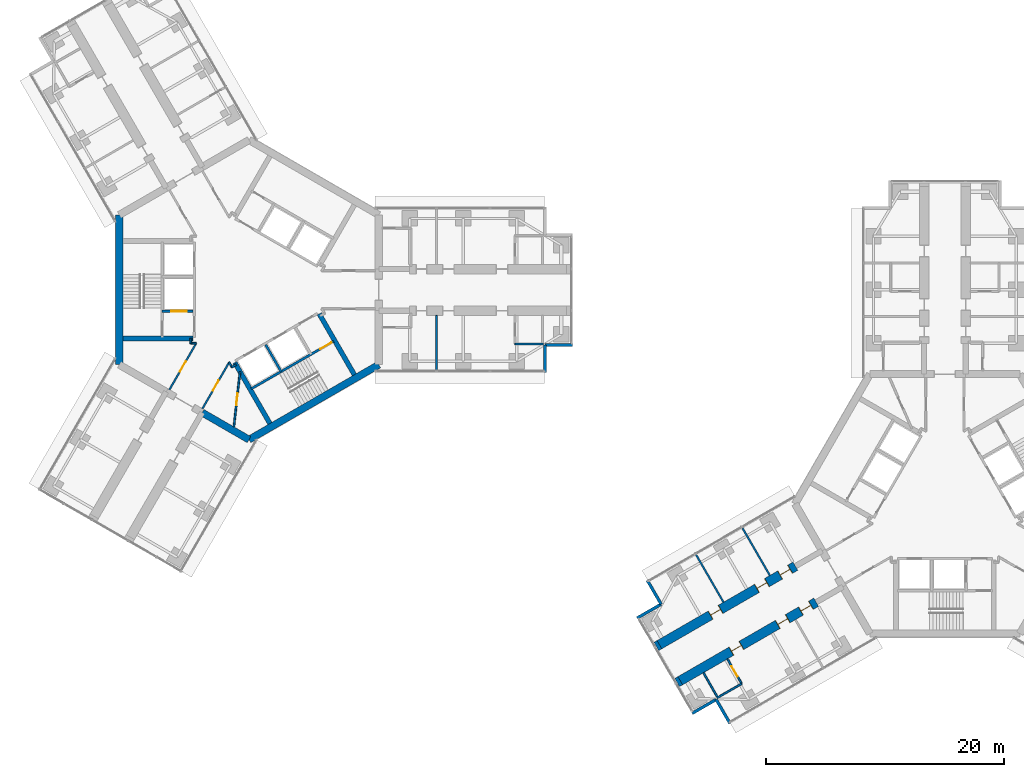
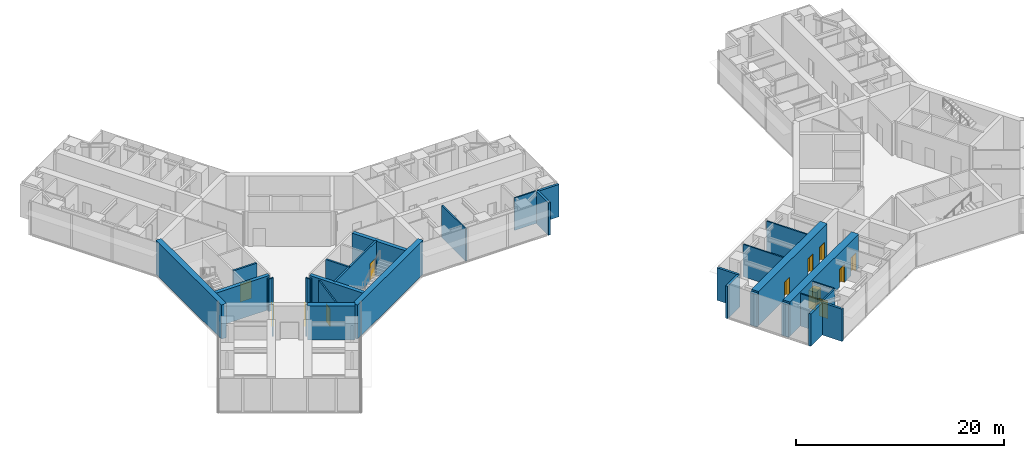
# One storey, part 15 of 22: 33 walls, 12 doors, 12 openings.
"""IFC4 building model written with IfcOpenShell, lengths in metres."""

from ifc_helpers import new_model, si_unit, direction, frame, frame_2d, origin, place, context, subcontext, project, spatial, rectangle, extrude, material, layer, layer_set, type_object, element, fill, save


model = new_model("IFC4")

# Units and contexts
model_context = context("Model", 3, precision=1e-05, world=origin(), true_north=direction((0.0, 1.0)))
body_context = subcontext(model_context, "Body", "Model", "MODEL_VIEW")
ifc_project = project(units=[si_unit("LENGTHUNIT", "METRE"), si_unit("AREAUNIT", "SQUARE_METRE"), si_unit("VOLUMEUNIT", "CUBIC_METRE"), si_unit("PLANEANGLEUNIT", "RADIAN"), si_unit("MASSUNIT", "GRAM", prefix="KILO")], contexts=[model_context])

# Site, building, storey
site_placement = place(None, origin())
site = spatial("IfcSite", under=ifc_project, at=site_placement, CompositionType="ELEMENT")
building_placement = place(site_placement, origin())
building = spatial("IfcBuilding", under=site, at=building_placement, Name="Upepo Twin Towers", CompositionType="ELEMENT")
storey_placement = place(building_placement, frame((0.0, 0.0, 121.5)))
storey = spatial("IfcBuildingStorey", under=building, at=storey_placement, Name="L29", CompositionType="ELEMENT", Elevation=121.5)

# Walls
ifc_material_1 = material(Name="Dense concrete blockwork", Category="masonry")
ifc_layer_1 = layer(ifc_material_1, 0.800048828125)
ifc_layer_set_1 = layer_set([ifc_layer_1], Name="Buttress closer 800, blockwork with fire-stopping to the curtain wall")
wall_type_1 = type_object("IfcWallType", Name="Buttress closer 800, blockwork with fire-stopping to the curtain wall", PredefinedType="PARTITIONING", material=ifc_layer_set_1)
wall_1_placement = place(storey_placement, frame((36.252197265625, -32.865478515625, 0.0), z_axis=(0.0, 0.0, 1.0), x_axis=(-0.865778900179, -0.500426713919, 0.0)))
element("IfcWall", 1, at=wall_1_placement, inside=storey, type_object=wall_type_1, Name="T2 L29 wing B buttress closer L", PredefinedType="PARTITIONING", context=body_context, shape_type="SweptSolid", body=[
    extrude(rectangle(XDim=0.300048828125, YDim=0.800048828125, at=frame_2d((0.14990234375, 0.0))), origin(), (0.0, 0.0, 1.0), 3.800048828125),
])
wall_2_placement = place(storey_placement, frame((34.502197265625, -29.83447265625, 0.0), z_axis=(0.0, 0.0, 1.0), x_axis=(-0.866131372301, -0.499816412211, 0.0)))
element("IfcWall", 2, at=wall_2_placement, inside=storey, type_object=wall_type_1, Name="T2 L29 wing B buttress closer R", PredefinedType="PARTITIONING", context=body_context, shape_type="SweptSolid", body=[
    extrude(rectangle(XDim=0.2998046875, YDim=0.800048828125, at=frame_2d((0.14990234375, 0.0))), origin(), (0.0, 0.0, 1.0), 3.800048828125),
])

# Wall, openings, doors
ifc_material_2 = material(Name="Concrete C60/75", Category="concrete")
ifc_layer_2 = layer(ifc_material_2, 0.800048828125)
ifc_layer_set_2 = layer_set([ifc_layer_2], Name="Concrete C60/75")
wall_type_2 = type_object("IfcWallType", Name="Buttress wall 800 RC", PredefinedType="SHEAR", material=ifc_layer_set_2)
wall_3_placement = place(storey_placement, frame((47.68359375, -26.265625, 0.0), z_axis=(0.0, 0.0, 1.0), x_axis=(-0.866027579429, -0.499996231654, 0.0)))
wall_3 = element("IfcWall", 3, at=wall_3_placement, inside=storey, type_object=wall_type_2, Name="T2 wing B buttress wall L part 2", PredefinedType="SHEAR", context=body_context, shape_type="SweptSolid", body=[
    extrude(rectangle(XDim=13.19970703125, YDim=0.800048828125, at=frame_2d((6.599853515625, 0.0))), origin(), (0.0, 0.0, 1.0), 4.0),
])
opening_1_placement = place(wall_3_placement, frame((0.5, 0.0, 0.0)))
opening_1 = element("IfcOpeningElement", 4, at=opening_1_placement, cuts=wall_3, Name="Opening D1", PredefinedType="OPENING", context=body_context, shape_type="SweptSolid", body=[
    extrude(rectangle(XDim=1.0, YDim=2.10009765625, at=frame_2d((0.5, 1.050048828125))), frame((0.0, 0.409912109375, 0.0), z_axis=(0.0, -1.0, 0.0), x_axis=(1.0, 0.0, 0.0)), (0.0, 0.0, 1.0), 0.820068359375),
])
opening_2_placement = place(wall_3_placement, frame((2.75, 0.0, 0.0)))
opening_2 = element("IfcOpeningElement", 5, at=opening_2_placement, cuts=wall_3, Name="Opening D1", PredefinedType="OPENING", context=body_context, shape_type="SweptSolid", body=[
    extrude(rectangle(XDim=1.0, YDim=2.10009765625, at=frame_2d((0.5, 1.050048828125))), frame((0.0, 0.409912109375, 0.0), z_axis=(0.0, -1.0, 0.0), x_axis=(1.0, 0.0, 0.0)), (0.0, 0.0, 1.0), 0.820068359375),
])
opening_3_placement = place(wall_3_placement, frame((7.25, 0.0, 0.0)))
opening_3 = element("IfcOpeningElement", 6, at=opening_3_placement, cuts=wall_3, Name="Opening D1", PredefinedType="OPENING", context=body_context, shape_type="SweptSolid", body=[
    extrude(rectangle(XDim=1.0, YDim=2.10009765625, at=frame_2d((0.5, 1.050048828125))), frame((0.0, 0.409912109375, 0.0), z_axis=(0.0, -1.0, 0.0), x_axis=(1.0, 0.0, 0.0)), (0.0, 0.0, 1.0), 0.820068359375),
])
ifc_material_3 = material(Name="Timber doorset", Category="wood")
door_type_1 = type_object("IfcDoorType", Name="Room door 1000 FD30", OperationType="SINGLE_SWING_LEFT", PredefinedType="DOOR", material=ifc_material_3)
door_1_placement = place(opening_1_placement, origin())
door_1 = element("IfcDoor", 7, at=door_1_placement, inside=storey, type_object=door_type_1, Name="T2 L29 tutorial room door", OperationType="SINGLE_SWING_LEFT", OverallHeight=2.10009765625, OverallWidth=1.0, PredefinedType="DOOR", context=body_context, shape_type="SweptSolid", body=[
    extrude(rectangle(XDim=0.92, YDim=2.06009765625, at=frame_2d((0.5, 1.030029296875))), frame((0.0, 0.02490234375, 0.0), z_axis=(0.0, -1.0, 0.0), x_axis=(1.0, 0.0, 0.0)), (0.0, 0.0, 1.0), 0.050048828125),
    extrude(rectangle(XDim=0.04, YDim=2.10009765625, at=frame_2d((0.02001953125, 1.050048828125))), frame((0.0, 0.39990234375, 0.0), z_axis=(0.0, -1.0, 0.0), x_axis=(1.0, 0.0, 0.0)), (0.0, 0.0, 1.0), 0.799560546875),
    extrude(rectangle(XDim=0.04, YDim=2.10009765625, at=frame_2d((0.97998046875, 1.050048828125))), frame((0.0, 0.39990234375, 0.0), z_axis=(0.0, -1.0, 0.0), x_axis=(1.0, 0.0, 0.0)), (0.0, 0.0, 1.0), 0.799560546875),
    extrude(rectangle(XDim=0.92, YDim=0.04, at=frame_2d((0.5, 2.080078125))), frame((0.0, 0.39990234375, 0.0), z_axis=(0.0, -1.0, 0.0), x_axis=(1.0, 0.0, 0.0)), (0.0, 0.0, 1.0), 0.799560546875),
])
fill(opening_1, door_1)
door_2_placement = place(opening_2_placement, origin())
door_2 = element("IfcDoor", 8, at=door_2_placement, inside=storey, type_object=door_type_1, Name="T2 L29 law clinic door", OperationType="SINGLE_SWING_LEFT", OverallHeight=2.10009765625, OverallWidth=1.0, PredefinedType="DOOR", context=body_context, shape_type="SweptSolid", body=[
    extrude(rectangle(XDim=0.92, YDim=2.06009765625, at=frame_2d((0.5, 1.030029296875))), frame((0.0, 0.02490234375, 0.0), z_axis=(0.0, -1.0, 0.0), x_axis=(1.0, 0.0, 0.0)), (0.0, 0.0, 1.0), 0.050048828125),
    extrude(rectangle(XDim=0.04, YDim=2.10009765625, at=frame_2d((0.02001953125, 1.050048828125))), frame((0.0, 0.39990234375, 0.0), z_axis=(0.0, -1.0, 0.0), x_axis=(1.0, 0.0, 0.0)), (0.0, 0.0, 1.0), 0.799560546875),
    extrude(rectangle(XDim=0.04, YDim=2.10009765625, at=frame_2d((0.97998046875, 1.050048828125))), frame((0.0, 0.39990234375, 0.0), z_axis=(0.0, -1.0, 0.0), x_axis=(1.0, 0.0, 0.0)), (0.0, 0.0, 1.0), 0.799560546875),
    extrude(rectangle(XDim=0.92, YDim=0.04, at=frame_2d((0.5, 2.080078125))), frame((0.0, 0.39990234375, 0.0), z_axis=(0.0, -1.0, 0.0), x_axis=(1.0, 0.0, 0.0)), (0.0, 0.0, 1.0), 0.799560546875),
])
fill(opening_2, door_2)
door_3_placement = place(opening_3_placement, origin())
door_3 = element("IfcDoor", 9, at=door_3_placement, inside=storey, type_object=door_type_1, Name="T2 L29 law clinic door", OperationType="SINGLE_SWING_RIGHT", OverallHeight=2.10009765625, OverallWidth=1.0, PredefinedType="DOOR", context=body_context, shape_type="SweptSolid", body=[
    extrude(rectangle(XDim=0.92, YDim=2.06009765625, at=frame_2d((0.5, 1.030029296875))), frame((0.0, 0.02490234375, 0.0), z_axis=(0.0, -1.0, 0.0), x_axis=(1.0, 0.0, 0.0)), (0.0, 0.0, 1.0), 0.050048828125),
    extrude(rectangle(XDim=0.04, YDim=2.10009765625, at=frame_2d((0.02001953125, 1.050048828125))), frame((0.0, 0.39990234375, 0.0), z_axis=(0.0, -1.0, 0.0), x_axis=(1.0, 0.0, 0.0)), (0.0, 0.0, 1.0), 0.799560546875),
    extrude(rectangle(XDim=0.04, YDim=2.10009765625, at=frame_2d((0.97998046875, 1.050048828125))), frame((0.0, 0.39990234375, 0.0), z_axis=(0.0, -1.0, 0.0), x_axis=(1.0, 0.0, 0.0)), (0.0, 0.0, 1.0), 0.799560546875),
    extrude(rectangle(XDim=0.92, YDim=0.04, at=frame_2d((0.5, 2.080078125))), frame((0.0, 0.39990234375, 0.0), z_axis=(0.0, -1.0, 0.0), x_axis=(1.0, 0.0, 0.0)), (0.0, 0.0, 1.0), 0.799560546875),
])
fill(opening_3, door_3)

wall_4_placement = place(storey_placement, frame((45.93359375, -23.234375, 0.0), z_axis=(0.0, 0.0, 1.0), x_axis=(-0.866019570528, -0.500010103361, 0.0)))
wall_4 = element("IfcWall", 10, at=wall_4_placement, inside=storey, type_object=wall_type_2, Name="T2 wing B buttress wall R part 2", PredefinedType="SHEAR", context=body_context, shape_type="SweptSolid", body=[
    extrude(rectangle(XDim=13.199951171875, YDim=0.800048828125, at=frame_2d((6.60009765625, 0.0))), origin(), (0.0, 0.0, 1.0), 4.0),
])
opening_4_placement = place(wall_4_placement, frame((0.5, 0.0, 0.0)))
opening_4 = element("IfcOpeningElement", 11, at=opening_4_placement, cuts=wall_4, Name="Opening D1", PredefinedType="OPENING", context=body_context, shape_type="SweptSolid", body=[
    extrude(rectangle(XDim=1.0, YDim=2.10009765625, at=frame_2d((0.5, 1.050048828125))), frame((0.0, 0.409912109375, 0.0), z_axis=(0.0, -1.0, 0.0), x_axis=(1.0, 0.0, 0.0)), (0.0, 0.0, 1.0), 0.820068359375),
])
opening_5_placement = place(wall_4_placement, frame((2.75, 0.0, 0.0)))
opening_5 = element("IfcOpeningElement", 12, at=opening_5_placement, cuts=wall_4, Name="Opening D1", PredefinedType="OPENING", context=body_context, shape_type="SweptSolid", body=[
    extrude(rectangle(XDim=1.0, YDim=2.10009765625, at=frame_2d((0.5, 1.050048828125))), frame((0.0, 0.409912109375, 0.0), z_axis=(0.0, -1.0, 0.0), x_axis=(1.0, 0.0, 0.0)), (0.0, 0.0, 1.0), 0.820068359375),
])
opening_6_placement = place(wall_4_placement, frame((7.25, 0.0, 0.0)))
opening_6 = element("IfcOpeningElement", 13, at=opening_6_placement, cuts=wall_4, Name="Opening D1", PredefinedType="OPENING", context=body_context, shape_type="SweptSolid", body=[
    extrude(rectangle(XDim=1.0, YDim=2.10009765625, at=frame_2d((0.5, 1.050048828125))), frame((0.0, 0.409912109375, 0.0), z_axis=(0.0, -1.0, 0.0), x_axis=(1.0, 0.0, 0.0)), (0.0, 0.0, 1.0), 0.820068359375),
])
door_4_placement = place(opening_4_placement, origin())
door_4 = element("IfcDoor", 14, at=door_4_placement, inside=storey, type_object=door_type_1, Name="T2 L29 staff office door", OperationType="SINGLE_SWING_LEFT", OverallHeight=2.10009765625, OverallWidth=1.0, PredefinedType="DOOR", context=body_context, shape_type="SweptSolid", body=[
    extrude(rectangle(XDim=0.92, YDim=2.06009765625, at=frame_2d((0.5, 1.030029296875))), frame((0.0, 0.02490234375, 0.0), z_axis=(0.0, -1.0, 0.0), x_axis=(1.0, 0.0, 0.0)), (0.0, 0.0, 1.0), 0.050048828125),
    extrude(rectangle(XDim=0.04, YDim=2.10009765625, at=frame_2d((0.02001953125, 1.050048828125))), frame((0.0, 0.39990234375, 0.0), z_axis=(0.0, -1.0, 0.0), x_axis=(1.0, 0.0, 0.0)), (0.0, 0.0, 1.0), 0.799560546875),
    extrude(rectangle(XDim=0.04, YDim=2.10009765625, at=frame_2d((0.97998046875, 1.050048828125))), frame((0.0, 0.39990234375, 0.0), z_axis=(0.0, -1.0, 0.0), x_axis=(1.0, 0.0, 0.0)), (0.0, 0.0, 1.0), 0.799560546875),
    extrude(rectangle(XDim=0.92, YDim=0.04, at=frame_2d((0.5, 2.080078125))), frame((0.0, 0.39990234375, 0.0), z_axis=(0.0, -1.0, 0.0), x_axis=(1.0, 0.0, 0.0)), (0.0, 0.0, 1.0), 0.799560546875),
])
fill(opening_4, door_4)
door_5_placement = place(opening_5_placement, origin())
door_5 = element("IfcDoor", 15, at=door_5_placement, inside=storey, type_object=door_type_1, Name="T2 L29 seminar room door", OperationType="SINGLE_SWING_LEFT", OverallHeight=2.10009765625, OverallWidth=1.0, PredefinedType="DOOR", context=body_context, shape_type="SweptSolid", body=[
    extrude(rectangle(XDim=0.92, YDim=2.06009765625, at=frame_2d((0.5, 1.030029296875))), frame((0.0, 0.02490234375, 0.0), z_axis=(0.0, -1.0, 0.0), x_axis=(1.0, 0.0, 0.0)), (0.0, 0.0, 1.0), 0.050048828125),
    extrude(rectangle(XDim=0.04, YDim=2.10009765625, at=frame_2d((0.02001953125, 1.050048828125))), frame((0.0, 0.39990234375, 0.0), z_axis=(0.0, -1.0, 0.0), x_axis=(1.0, 0.0, 0.0)), (0.0, 0.0, 1.0), 0.799560546875),
    extrude(rectangle(XDim=0.04, YDim=2.10009765625, at=frame_2d((0.97998046875, 1.050048828125))), frame((0.0, 0.39990234375, 0.0), z_axis=(0.0, -1.0, 0.0), x_axis=(1.0, 0.0, 0.0)), (0.0, 0.0, 1.0), 0.799560546875),
    extrude(rectangle(XDim=0.92, YDim=0.04, at=frame_2d((0.5, 2.080078125))), frame((0.0, 0.39990234375, 0.0), z_axis=(0.0, -1.0, 0.0), x_axis=(1.0, 0.0, 0.0)), (0.0, 0.0, 1.0), 0.799560546875),
])
fill(opening_5, door_5)
door_6_placement = place(opening_6_placement, origin())
door_6 = element("IfcDoor", 16, at=door_6_placement, inside=storey, type_object=door_type_1, Name="T2 L29 tutorial room door", OperationType="SINGLE_SWING_RIGHT", OverallHeight=2.10009765625, OverallWidth=1.0, PredefinedType="DOOR", context=body_context, shape_type="SweptSolid", body=[
    extrude(rectangle(XDim=0.92, YDim=2.06009765625, at=frame_2d((0.5, 1.030029296875))), frame((0.0, 0.02490234375, 0.0), z_axis=(0.0, -1.0, 0.0), x_axis=(1.0, 0.0, 0.0)), (0.0, 0.0, 1.0), 0.050048828125),
    extrude(rectangle(XDim=0.04, YDim=2.10009765625, at=frame_2d((0.02001953125, 1.050048828125))), frame((0.0, 0.39990234375, 0.0), z_axis=(0.0, -1.0, 0.0), x_axis=(1.0, 0.0, 0.0)), (0.0, 0.0, 1.0), 0.799560546875),
    extrude(rectangle(XDim=0.04, YDim=2.10009765625, at=frame_2d((0.97998046875, 1.050048828125))), frame((0.0, 0.39990234375, 0.0), z_axis=(0.0, -1.0, 0.0), x_axis=(1.0, 0.0, 0.0)), (0.0, 0.0, 1.0), 0.799560546875),
    extrude(rectangle(XDim=0.92, YDim=0.04, at=frame_2d((0.5, 2.080078125))), frame((0.0, 0.39990234375, 0.0), z_axis=(0.0, -1.0, 0.0), x_axis=(1.0, 0.0, 0.0)), (0.0, 0.0, 1.0), 0.799560546875),
])
fill(opening_6, door_6)

# Walls
ifc_material_4 = material(Name="Concrete C60/75", Category="concrete")
ifc_layer_3 = layer(ifc_material_4, 0.60009765625)
ifc_layer_set_3 = layer_set([ifc_layer_3], Name="Concrete C60/75")
wall_type_3 = type_object("IfcWallType", Name="Core wall 600 RC", PredefinedType="SHEAR", material=ifc_layer_set_3)
wall_5_placement = place(storey_placement, frame((-10.908447265625, 6.2978515625, 0.0), z_axis=(0.0, 0.0, 1.0), x_axis=(0.0, -1.0, 0.0)))
element("IfcWall", 17, at=wall_5_placement, inside=storey, type_object=wall_type_3, Name="T1 core wall 180", PredefinedType="SHEAR", context=body_context, shape_type="SweptSolid", body=[
    extrude(rectangle(XDim=12.595703125, YDim=0.60009765625, at=frame_2d((6.2978515625, 0.0))), origin(), (0.0, 0.0, 1.0), 4.0),
])
wall_6_placement = place(storey_placement, frame((-3.938720703125, -10.32177734375, 0.0), z_axis=(0.0, 0.0, 1.0), x_axis=(0.866011268655, -0.500024481964, 0.0)))
element("IfcWall", 18, at=wall_6_placement, inside=storey, type_object=wall_type_3, Name="T1 core wall 240 L", PredefinedType="SHEAR", context=body_context, shape_type="SweptSolid", body=[
    extrude(rectangle(XDim=4.548095703125, YDim=0.60009765625, at=frame_2d((2.27392578125, 0.0))), origin(), (0.0, 0.0, 1.0), 4.0),
])
wall_7_placement = place(storey_placement, frame((0.0, -12.595947265625, 0.0), z_axis=(0.0, 0.0, 1.0), x_axis=(0.866021940709, 0.500005998175, 0.0)))
element("IfcWall", 19, at=wall_7_placement, inside=storey, type_object=wall_type_3, Name="T1 core wall 300", PredefinedType="SHEAR", context=body_context, shape_type="SweptSolid", body=[
    extrude(rectangle(XDim=12.595947265625, YDim=0.60009765625, at=frame_2d((6.2978515625, 0.0))), origin(), (0.0, 0.0, 1.0), 4.0),
])
ifc_material_5 = material(Name="Blockwork with anodised aluminium cladding", Category="masonry")
ifc_layer_4 = layer(ifc_material_5, 0.25)
ifc_layer_set_4 = layer_set([ifc_layer_4], Name="Notch cladding wall 250, pale metal")
wall_type_4 = type_object("IfcWallType", Name="Notch cladding wall 250, pale metal", PredefinedType="STANDARD", material=ifc_layer_set_4)
for number, where, z_axis, x_axis, name in (
    (20, (24.875, -6.949951171875, 0.0), (0.0, 0.0, 1.0), (0.0, 1.0, 0.0), "T1 L29 wing A notch wall R1"),
    (21, (24.875, -4.625, 0.0), (0.0, 0.0, 1.0), (1.0, 0.0, 0.0), "T1 L29 wing A notch wall R2"),
    (22, (40.4326171875, -36.456298828125, 0.0), (0.0, 0.0, 1.0), (-0.500046648681, 0.865998469481, 0.0), "T2 L29 wing B notch wall L1"),
    (23, (39.27001953125, -34.44287109375, 0.0), (0.0, 0.0, 1.0), (-0.865998469481, -0.500046648681, 0.0), "T2 L29 wing B notch wall L2"),
    (24, (33.482666015625, -24.418701171875, 0.0), (0.0, 0.0, 1.0), (0.499967891604, -0.866043940782, 0.0), "T2 L29 wing B notch wall R1"),
    (25, (34.64501953125, -26.43212890625, 0.0), (0.0, 0.0, 1.0), (-0.865998469481, -0.500046648681, 0.0), "T2 L29 wing B notch wall R2"),
):
    element("IfcWall", number, at=place(storey_placement, frame(where, z_axis=z_axis, x_axis=x_axis)), inside=storey, type_object=wall_type_4, Name=name, PredefinedType="STANDARD", context=body_context, shape_type="SweptSolid", body=[
        extrude(rectangle(XDim=2.324951171875, YDim=0.25, at=frame_2d((1.16259765625, 0.0))), origin(), (0.0, 0.0, 1.0), 3.800048828125),
    ])

# Wall, opening, door
ifc_material_6 = material(Name="Concrete C40/50", Category="concrete")
ifc_layer_5 = layer(ifc_material_6, 0.199951171875)
ifc_layer_set_5 = layer_set([ifc_layer_5], Name="Concrete C40/50")
wall_type_5 = type_object("IfcWallType", Name="Shaft wall 200 RC", PredefinedType="SHEAR", material=ifc_layer_set_5)
wall_8_placement = place(storey_placement, frame((-4.699951171875, -1.800048828125, 0.0), z_axis=(0.0, 0.0, 1.0), x_axis=(-1.0, 0.0, 0.0)))
wall_8 = element("IfcWall", 26, at=wall_8_placement, inside=storey, type_object=wall_type_5, Name="T1 core W180 lobby wall", PredefinedType="SHEAR", context=body_context, shape_type="SweptSolid", body=[
    extrude(rectangle(XDim=2.60009765625, YDim=0.199951171875, at=frame_2d((1.300048828125, 0.0))), origin(), (0.0, 0.0, 1.0), 4.0),
])
opening_7_placement = place(wall_8_placement, frame((0.550048828125, 0.0, 0.0)))
opening_7 = element("IfcOpeningElement", 27, at=opening_7_placement, cuts=wall_8, Name="Opening LD2", PredefinedType="OPENING", context=body_context, shape_type="SweptSolid", body=[
    extrude(rectangle(XDim=1.300048828125, YDim=2.199951171875, at=frame_2d((0.64990234375, 1.10009765625))), frame((0.0, 0.10986328125, 0.0), z_axis=(0.0, -1.0, 0.0), x_axis=(1.0, 0.0, 0.0)), (0.0, 0.0, 1.0), 0.219970703125),
])
ifc_material_7 = material(Name="Steel doorset", Category="steel")
door_type_2 = type_object("IfcDoorType", Name="Firefighting lift landing door 1300", OperationType="DOUBLE_DOOR_SLIDING", PredefinedType="DOOR", material=ifc_material_7)
door_7_placement = place(opening_7_placement, origin())
door_7 = element("IfcDoor", 28, at=door_7_placement, inside=storey, type_object=door_type_2, Name="T1 L29 firefighting lift landing door", OperationType="DOUBLE_DOOR_SLIDING", OverallHeight=2.199951171875, OverallWidth=1.300048828125, PredefinedType="DOOR", context=body_context, shape_type="SweptSolid", body=[
    extrude(rectangle(XDim=1.300048828125, YDim=2.199951171875, at=frame_2d((0.64990234375, 1.10009765625))), frame((0.0, 0.02490234375, 0.0), z_axis=(0.0, -1.0, 0.0), x_axis=(1.0, 0.0, 0.0)), (0.0, 0.0, 1.0), 0.050048828125),
])
fill(opening_7, door_7)

# Wall
wall_9_placement = place(storey_placement, frame((1.3974609375, -4.620361328125, 0.0), z_axis=(0.0, 0.0, 1.0), x_axis=(0.499936506574, -0.866062058628, 0.0)))
element("IfcWall", 29, at=wall_9_placement, inside=storey, type_object=wall_type_5, Name="T1 core W300 shaft divider", PredefinedType="SHEAR", context=body_context, shape_type="SweptSolid", body=[
    extrude(rectangle(XDim=2.599853515625, YDim=0.199951171875, at=frame_2d((1.2998046875, 0.0))), origin(), (0.0, 0.0, 1.0), 4.0),
])

# Wall, opening, door
wall_10_placement = place(storey_placement, frame((0.185791015625, -8.322021484375, 0.0), z_axis=(0.0, 0.0, 1.0), x_axis=(0.866026010844, 0.49999894854, 0.0)))
wall_10 = element("IfcWall", 30, at=wall_10_placement, inside=storey, type_object=wall_type_5, Name="T1 core W300 stair wall", PredefinedType="SHEAR", context=body_context, shape_type="SweptSolid", body=[
    extrude(rectangle(XDim=8.0, YDim=0.199951171875, at=frame_2d((4.0, 0.0))), origin(), (0.0, 0.0, 1.0), 4.0),
])
opening_8_placement = place(wall_10_placement, frame((6.699951171875, 0.0, 0.0)))
opening_8 = element("IfcOpeningElement", 31, at=opening_8_placement, cuts=wall_10, Name="Opening D3", PredefinedType="OPENING", context=body_context, shape_type="SweptSolid", body=[
    extrude(rectangle(XDim=1.10009765625, YDim=2.10009765625, at=frame_2d((0.550048828125, 1.050048828125))), frame((0.0, 0.10986328125, 0.0), z_axis=(0.0, -1.0, 0.0), x_axis=(1.0, 0.0, 0.0)), (0.0, 0.0, 1.0), 0.219970703125),
])
ifc_material_8 = material(Name="Timber doorset", Category="wood")
door_type_3 = type_object("IfcDoorType", Name="Stair door 1100 FD60", OperationType="SINGLE_SWING_LEFT", PredefinedType="DOOR", material=ifc_material_8)
door_8_placement = place(opening_8_placement, origin())
door_8 = element("IfcDoor", 32, at=door_8_placement, inside=storey, type_object=door_type_3, Name="T1 L29 stair door", OperationType="SINGLE_SWING_RIGHT", OverallHeight=2.10009765625, OverallWidth=1.10009765625, PredefinedType="DOOR", context=body_context, shape_type="SweptSolid", body=[
    extrude(rectangle(XDim=1.10009765625, YDim=2.10009765625, at=frame_2d((0.550048828125, 1.050048828125))), frame((0.0, 0.02490234375, 0.0), z_axis=(0.0, -1.0, 0.0), x_axis=(1.0, 0.0, 0.0)), (0.0, 0.0, 1.0), 0.050048828125),
])
fill(opening_8, door_8)

# Walls
ifc_material_9 = material(Name="Concrete C40/50", Category="concrete")
ifc_layer_6 = layer(ifc_material_9, 0.39990234375)
ifc_layer_set_6 = layer_set([ifc_layer_6], Name="Concrete C40/50")
wall_type_6 = type_object("IfcWallType", Name="Shaft wall 400 RC", PredefinedType="SHEAR", material=ifc_layer_set_6)
for number, where, z_axis, x_axis, name in (
    (33, (-4.699951171875, -4.10009765625, 0.0), (0.0, 0.0, 1.0), (-1.0, 0.0, 0.0), "T1 core W180 side wall N"),
    (34, (5.900634765625, -2.020263671875, 0.0), (0.0, 0.0, 1.0), (0.500027676417, -0.866009424208, 0.0), "T1 core W300 side wall N"),
):
    element("IfcWall", number, at=place(storey_placement, frame(where, z_axis=z_axis, x_axis=x_axis)), inside=storey, type_object=wall_type_6, Name=name, PredefinedType="SHEAR", context=body_context, shape_type="SweptSolid", body=[
        extrude(rectangle(XDim=5.908447265625, YDim=0.39990234375, at=frame_2d((2.9541015625, 0.0))), origin(), (0.0, 0.0, 1.0), 4.0),
    ])
wall_11_placement = place(storey_placement, frame((-1.20068359375, -6.120361328125, 0.0), z_axis=(0.0, 0.0, 1.0), x_axis=(0.49999668571, -0.866027317282, 0.0)))
element("IfcWall", 35, at=wall_11_placement, inside=storey, type_object=wall_type_6, Name="T1 core W300 side wall S", PredefinedType="SHEAR", context=body_context, shape_type="SweptSolid", body=[
    extrude(rectangle(XDim=5.908203125, YDim=0.39990234375, at=frame_2d((2.9541015625, 0.0))), origin(), (0.0, 0.0, 1.0), 4.0),
])
ifc_material_10 = material(Name="Gypsum board on steel studs", Category="steel")
ifc_layer_7 = layer(ifc_material_10, 0.14990234375)
ifc_layer_set_7 = layer_set([ifc_layer_7], Name="Teaching partition 150 acoustic")
wall_type_7 = type_object("IfcWallType", Name="Teaching partition 150 acoustic", PredefinedType="PARTITIONING", material=ifc_layer_set_7)
wall_12_placement = place(storey_placement, frame((15.75, -2.14990234375, 0.0), z_axis=(0.0, 0.0, 1.0), x_axis=(0.0, -1.0, 0.0)))
element("IfcWall", 36, at=wall_12_placement, inside=storey, type_object=wall_type_7, Name="T1 partition AR at 15.75", PredefinedType="PARTITIONING", context=body_context, shape_type="SweptSolid", body=[
    extrude(rectangle(XDim=4.60009765625, YDim=0.14990234375, at=frame_2d((2.300048828125, 0.0))), origin(), (0.0, 0.0, 1.0), 3.800048828125),
])
wall_13_placement = place(storey_placement, frame((22.35009765625, -4.550048828125, 0.0), z_axis=(0.0, 0.0, 1.0), x_axis=(1.0, 0.0, 0.0)))
element("IfcWall", 37, at=wall_13_placement, inside=storey, type_object=wall_type_7, Name="T1 inner room partition AR at 22.35", PredefinedType="PARTITIONING", context=body_context, shape_type="SweptSolid", body=[
    extrude(rectangle(XDim=2.39990234375, YDim=0.14990234375, at=frame_2d((1.199951171875, 0.0))), origin(), (0.0, 0.0, 1.0), 3.800048828125),
])
wall_14_placement = place(storey_placement, frame((-1.092041015625, -6.28857421875, 0.0), z_axis=(0.0, 0.0, 1.0), x_axis=(-0.866138304741, -0.499804398801, 0.0)))
element("IfcWall", 38, at=wall_14_placement, inside=storey, type_object=wall_type_7, Name="T1 core room partition 2", PredefinedType="PARTITIONING", context=body_context, shape_type="SweptSolid", body=[
    extrude(rectangle(XDim=0.429931640625, YDim=0.14990234375, at=frame_2d((0.21484375, 0.0))), origin(), (0.0, 0.0, 1.0), 3.800048828125),
])
wall_15_placement = place(storey_placement, frame((-1.43701171875, -6.5107421875, 0.0), z_axis=(0.0, 0.0, 1.0), x_axis=(-0.50033519877, 0.865831790172, 0.0)))
element("IfcWall", 39, at=wall_15_placement, inside=storey, type_object=wall_type_7, Name="T1 core room partition 3", PredefinedType="PARTITIONING", context=body_context, shape_type="SweptSolid", body=[
    extrude(rectangle(XDim=0.494384765625, YDim=0.14990234375, at=frame_2d((0.2470703125, 0.0))), origin(), (0.0, 0.0, 1.0), 3.800048828125),
])

# Wall, opening, door
wall_16_placement = place(storey_placement, frame((-1.664306640625, -6.082763671875, 0.0), z_axis=(0.0, 0.0, 1.0), x_axis=(-0.500032713409, -0.866006515865, 0.0)))
wall_16 = element("IfcWall", 40, at=wall_16_placement, inside=storey, type_object=wall_type_7, Name="T1 core room partition 4", PredefinedType="PARTITIONING", context=body_context, shape_type="SweptSolid", body=[
    extrude(rectangle(XDim=4.518310546875, YDim=0.14990234375, at=frame_2d((2.25927734375, 0.0))), origin(), (0.0, 0.0, 1.0), 3.800048828125),
])
opening_9_placement = place(wall_16_placement, frame((1.769287109375, 0.0, 0.0)))
opening_9 = element("IfcOpeningElement", 41, at=opening_9_placement, cuts=wall_16, Name="Opening D1", PredefinedType="OPENING", context=body_context, shape_type="SweptSolid", body=[
    extrude(rectangle(XDim=1.0, YDim=2.10009765625, at=frame_2d((0.5, 1.050048828125))), frame((0.0, 0.0849609375, 0.0), z_axis=(0.0, -1.0, 0.0), x_axis=(1.0, 0.0, 0.0)), (0.0, 0.0, 1.0), 0.169921875),
])
door_9_placement = place(opening_9_placement, origin())
door_9 = element("IfcDoor", 42, at=door_9_placement, inside=storey, type_object=door_type_1, Name="T1 L29 core room door K2", OperationType="SINGLE_SWING_RIGHT", OverallHeight=2.10009765625, OverallWidth=1.0, PredefinedType="DOOR", context=body_context, shape_type="SweptSolid", body=[
    extrude(rectangle(XDim=1.0, YDim=2.10009765625, at=frame_2d((0.5, 1.050048828125))), frame((0.0, 0.02490234375, 0.0), z_axis=(0.0, -1.0, 0.0), x_axis=(1.0, 0.0, 0.0)), (0.0, 0.0, 1.0), 0.050048828125),
])
fill(opening_9, door_9)

wall_17_placement = place(storey_placement, frame((-6.69482421875, -8.395751953125, 0.0), z_axis=(0.0, 0.0, 1.0), x_axis=(0.500009315796, 0.86602002524, 0.0)))
wall_17 = element("IfcWall", 43, at=wall_17_placement, inside=storey, type_object=wall_type_7, Name="T1 core room partition 5", PredefinedType="PARTITIONING", context=body_context, shape_type="SweptSolid", body=[
    extrude(rectangle(XDim=4.5185546875, YDim=0.14990234375, at=frame_2d((2.25927734375, 0.0))), origin(), (0.0, 0.0, 1.0), 3.800048828125),
])
opening_10_placement = place(wall_17_placement, frame((1.7490234375, 0.0, 0.0)))
opening_10 = element("IfcOpeningElement", 44, at=opening_10_placement, cuts=wall_17, Name="Opening D1", PredefinedType="OPENING", context=body_context, shape_type="SweptSolid", body=[
    extrude(rectangle(XDim=1.0, YDim=2.10009765625, at=frame_2d((0.5, 1.050048828125))), frame((0.0, 0.0849609375, 0.0), z_axis=(0.0, -1.0, 0.0), x_axis=(1.0, 0.0, 0.0)), (0.0, 0.0, 1.0), 0.169921875),
])
door_10_placement = place(opening_10_placement, origin())
door_10 = element("IfcDoor", 45, at=door_10_placement, inside=storey, type_object=door_type_1, Name="T1 L29 core room door K1", OperationType="SINGLE_SWING_LEFT", OverallHeight=2.10009765625, OverallWidth=1.0, PredefinedType="DOOR", context=body_context, shape_type="SweptSolid", body=[
    extrude(rectangle(XDim=1.0, YDim=2.10009765625, at=frame_2d((0.5, 1.050048828125))), frame((0.0, 0.02490234375, 0.0), z_axis=(0.0, -1.0, 0.0), x_axis=(1.0, 0.0, 0.0)), (0.0, 0.0, 1.0), 0.050048828125),
])
fill(opening_10, door_10)

# Walls
wall_18_placement = place(storey_placement, frame((-4.425537109375, -4.5, 0.0), z_axis=(0.0, 0.0, 1.0), x_axis=(-1.0, 0.0, 0.0)))
element("IfcWall", 46, at=wall_18_placement, inside=storey, type_object=wall_type_7, Name="T1 core room partition 6", PredefinedType="PARTITIONING", context=body_context, shape_type="SweptSolid", body=[
    extrude(rectangle(XDim=0.494384765625, YDim=0.14990234375, at=frame_2d((0.2470703125, 0.0))), origin(), (0.0, 0.0, 1.0), 3.800048828125),
])
wall_19_placement = place(storey_placement, frame((-4.89990234375, -4.52001953125, 0.0), z_axis=(0.0, 0.0, 1.0), x_axis=(0.0, 1.0, 0.0)))
element("IfcWall", 47, at=wall_19_placement, inside=storey, type_object=wall_type_7, Name="T1 core room partition 7", PredefinedType="PARTITIONING", context=body_context, shape_type="SweptSolid", body=[
    extrude(rectangle(XDim=0.429931640625, YDim=0.14990234375, at=frame_2d((0.21484375, 0.0))), origin(), (0.0, 0.0, 1.0), 3.800048828125),
])

# Wall, opening, door
wall_20_placement = place(storey_placement, frame((-0.761474609375, -6.881103515625, 0.0), z_axis=(0.0, 0.0, 1.0), x_axis=(-0.109994603044, -0.993932184458, 0.0)))
wall_20 = element("IfcWall", 48, at=wall_20_placement, inside=storey, type_object=wall_type_7, Name="T1 core room partition 19", PredefinedType="PARTITIONING", context=body_context, shape_type="SweptSolid", body=[
    extrude(rectangle(XDim=4.6611328125, YDim=0.14990234375, at=frame_2d((2.33056640625, 0.0))), origin(), (0.0, 0.0, 1.0), 3.800048828125),
])
opening_11_placement = place(wall_20_placement, frame((1.83056640625, 0.0, 0.0)))
opening_11 = element("IfcOpeningElement", 49, at=opening_11_placement, cuts=wall_20, Name="Opening D1", PredefinedType="OPENING", context=body_context, shape_type="SweptSolid", body=[
    extrude(rectangle(XDim=1.0, YDim=2.10009765625, at=frame_2d((0.5, 1.050048828125))), frame((0.0, 0.0849609375, 0.0), z_axis=(0.0, -1.0, 0.0), x_axis=(1.0, 0.0, 0.0)), (0.0, 0.0, 1.0), 0.169921875),
])
door_11_placement = place(opening_11_placement, origin())
door_11 = element("IfcDoor", 50, at=door_11_placement, inside=storey, type_object=door_type_1, Name="T1 L29 core room door K3", OperationType="SINGLE_SWING_LEFT", OverallHeight=2.10009765625, OverallWidth=1.0, PredefinedType="DOOR", context=body_context, shape_type="SweptSolid", body=[
    extrude(rectangle(XDim=1.0, YDim=2.10009765625, at=frame_2d((0.5, 1.050048828125))), frame((0.0, 0.02490234375, 0.0), z_axis=(0.0, -1.0, 0.0), x_axis=(1.0, 0.0, 0.0)), (0.0, 0.0, 1.0), 0.050048828125),
])
fill(opening_11, door_11)

# Wall
wall_21_placement = place(storey_placement, frame((41.41943359375, -33.115478515625, 0.0), z_axis=(0.0, 0.0, 1.0), x_axis=(-0.866050077142, -0.499957262057, 0.0)))
element("IfcWall", 51, at=wall_21_placement, inside=storey, type_object=wall_type_7, Name="T2 inner room partition BL at 22.35", PredefinedType="PARTITIONING", context=body_context, shape_type="SweptSolid", body=[
    extrude(rectangle(XDim=2.400146484375, YDim=0.14990234375, at=frame_2d((1.2001953125, 0.0))), origin(), (0.0, 0.0, 1.0), 3.800048828125),
])

# Wall, opening, door
wall_22_placement = place(storey_placement, frame((40.21923828125, -31.036865234375, 0.0), z_axis=(0.0, 0.0, 1.0), x_axis=(0.500033551112, -0.866006032174, 0.0)))
wall_22 = element("IfcWall", 52, at=wall_22_placement, inside=storey, type_object=wall_type_7, Name="T2 inner room partition BL end at 22.35", PredefinedType="PARTITIONING", context=body_context, shape_type="SweptSolid", body=[
    extrude(rectangle(XDim=2.400146484375, YDim=0.14990234375, at=frame_2d((1.2001953125, 0.0))), origin(), (0.0, 0.0, 1.0), 3.800048828125),
])
opening_12_placement = place(wall_22_placement, frame((0.699951171875, 0.0, 0.0)))
opening_12 = element("IfcOpeningElement", 53, at=opening_12_placement, cuts=wall_22, Name="Opening D1", PredefinedType="OPENING", context=body_context, shape_type="SweptSolid", body=[
    extrude(rectangle(XDim=1.0, YDim=2.10009765625, at=frame_2d((0.5, 1.050048828125))), frame((0.0, 0.0849609375, 0.0), z_axis=(0.0, -1.0, 0.0), x_axis=(1.0, 0.0, 0.0)), (0.0, 0.0, 1.0), 0.169921875),
])
door_12_placement = place(opening_12_placement, origin())
door_12 = element("IfcDoor", 54, at=door_12_placement, inside=storey, type_object=door_type_1, Name="T2 L29 inner room door", OperationType="SINGLE_SWING_LEFT", OverallHeight=2.10009765625, OverallWidth=1.0, PredefinedType="DOOR", context=body_context, shape_type="SweptSolid", body=[
    extrude(rectangle(XDim=1.0, YDim=2.10009765625, at=frame_2d((0.5, 1.050048828125))), frame((0.0, 0.02490234375, 0.0), z_axis=(0.0, -1.0, 0.0), x_axis=(1.0, 0.0, 0.0)), (0.0, 0.0, 1.0), 0.050048828125),
])
fill(opening_12, door_12)

# Walls
wall_23_placement = place(storey_placement, frame((38.205810546875, -32.199462890625, 0.0), z_axis=(0.0, 0.0, 1.0), x_axis=(0.500001309137, -0.866024647952, 0.0)))
element("IfcWall", 55, at=wall_23_placement, inside=storey, type_object=wall_type_7, Name="T2 inner room partition BL end at 24.75", PredefinedType="PARTITIONING", context=body_context, shape_type="SweptSolid", body=[
    extrude(rectangle(XDim=2.39990234375, YDim=0.14990234375, at=frame_2d((1.199951171875, 0.0))), origin(), (0.0, 0.0, 1.0), 3.800048828125),
])
for number, where, z_axis, x_axis, name in (
    (56, (43.78515625, -24.012939453125, 0.0), (0.0, 0.0, 1.0), (-0.500014953309, 0.866016770315, 0.0), "T2 partition BR at 15.75"),
    (57, (39.887939453125, -26.262939453125, 0.0), (0.0, 0.0, 1.0), (-0.500014953309, 0.866016770315, 0.0), "T2 partition BR at 20.25"),
):
    element("IfcWall", number, at=place(storey_placement, frame(where, z_axis=z_axis, x_axis=x_axis)), inside=storey, type_object=wall_type_7, Name=name, PredefinedType="PARTITIONING", context=body_context, shape_type="SweptSolid", body=[
        extrude(rectangle(XDim=4.599853515625, YDim=0.14990234375, at=frame_2d((2.2998046875, 0.0))), origin(), (0.0, 0.0, 1.0), 3.800048828125),
    ])

save(model, "model.ifc")
